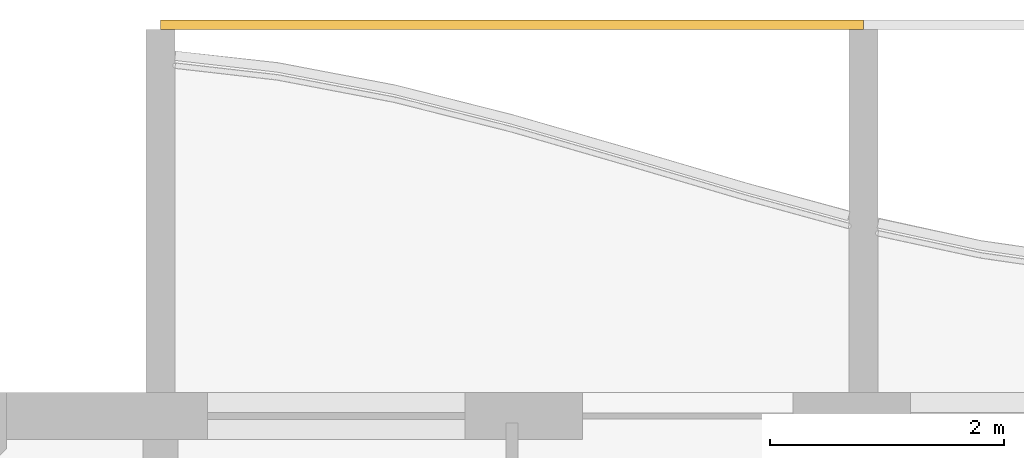
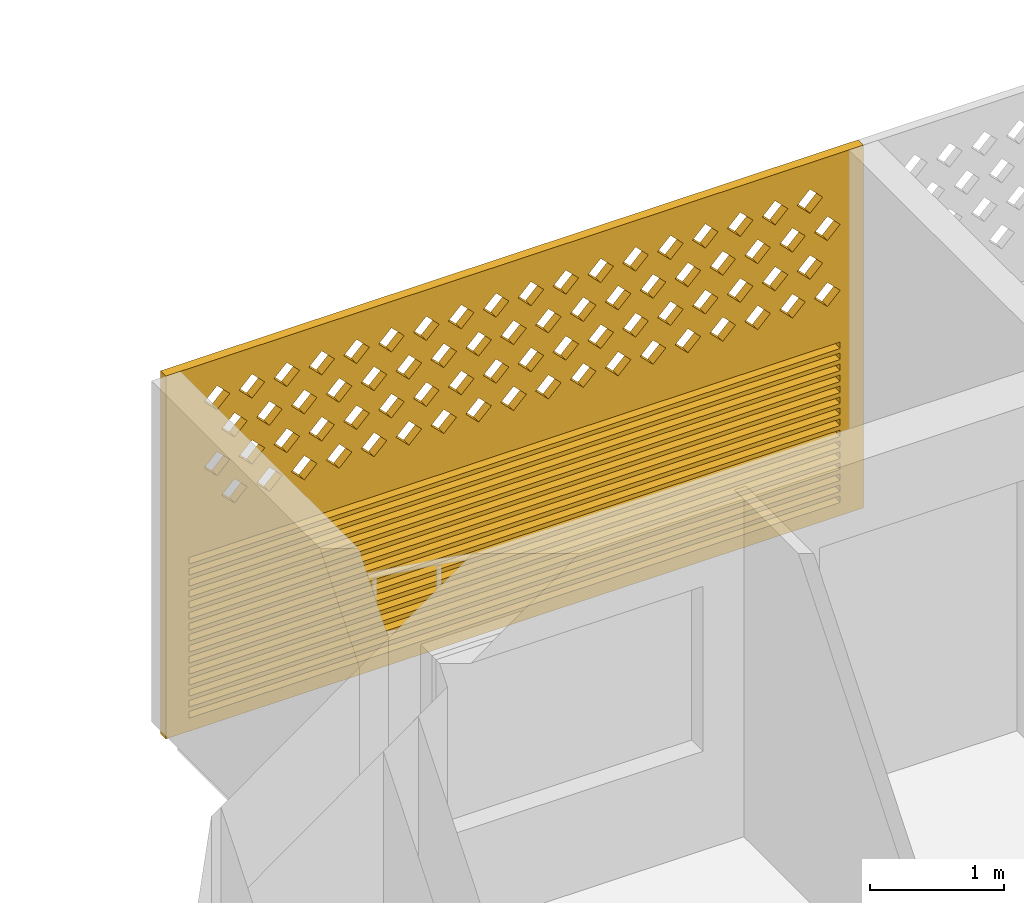
# One storey, part 17 of 31: 1 covering.
"""IFC4 building model written with IfcOpenShell, lengths in metres."""

from ifc_helpers import new_model, si_unit, direction, frame, origin, place, context, subcontext, project, spatial, polyline, outline, extrude, source, transform, mapped, material, material_profile, profile_set, type_object, element, save


model = new_model("IFC4")

# Units and contexts
model_context = context("Model", 3, precision=1e-05, world=origin(), true_north=direction((0.0, 1.0)))
body_context = subcontext(model_context, "Body", "Model", "MODEL_VIEW")
ifc_project = project(units=[si_unit("LENGTHUNIT", "METRE"), si_unit("AREAUNIT", "SQUARE_METRE"), si_unit("VOLUMEUNIT", "CUBIC_METRE"), si_unit("PLANEANGLEUNIT", "RADIAN"), si_unit("MASSUNIT", "GRAM", prefix="KILO")], contexts=[model_context])

# Site, building, storey
site_placement = place(None, origin())
site = spatial("IfcSite", under=ifc_project, at=site_placement, CompositionType="ELEMENT")
building_placement = place(site_placement, origin())
building = spatial("IfcBuilding", under=site, at=building_placement, Name="Poui Terraces", CompositionType="ELEMENT")
storey_placement = place(building_placement, frame((0.0, 0.0, 145.5)))
storey = spatial("IfcBuildingStorey", under=building, at=storey_placement, Name="L40", CompositionType="ELEMENT", Elevation=145.5)

# Covering
ifc_material = material(Name="Terracotta screen", Category="masonry")
ifc_material_profile = material_profile(ifc_material, outline(polyline([(-3.0, -1.64990234375), (3.0, -1.64990234375), (3.0, 1.64990234375), (-3.0, 1.64990234375), (-3.0, -1.64990234375)]), holes=[polyline([(-2.800048828125, 0.39990234375), (-2.68994140625, 0.2900390625), (-2.580078125, 0.39990234375), (-2.68994140625, 0.510009765625), (-2.800048828125, 0.39990234375)]), polyline([(-2.5, 0.39990234375), (-2.389892578125, 0.2900390625), (-2.280029296875, 0.39990234375), (-2.389892578125, 0.510009765625), (-2.5, 0.39990234375)]), polyline([(-2.199951171875, 0.39990234375), (-2.090087890625, 0.2900390625), (-1.97998046875, 0.39990234375), (-2.090087890625, 0.510009765625), (-2.199951171875, 0.39990234375)]), polyline([(-1.89990234375, 0.39990234375), (-1.7900390625, 0.2900390625), (-1.679931640625, 0.39990234375), (-1.7900390625, 0.510009765625), (-1.89990234375, 0.39990234375)]), polyline([(-1.60009765625, 0.39990234375), (-1.489990234375, 0.2900390625), (-1.3798828125, 0.39990234375), (-1.489990234375, 0.510009765625), (-1.60009765625, 0.39990234375)]), polyline([(-1.300048828125, 0.39990234375), (-1.18994140625, 0.2900390625), (-1.080078125, 0.39990234375), (-1.18994140625, 0.510009765625), (-1.300048828125, 0.39990234375)]), polyline([(-1.0, 0.39990234375), (-0.889892578125, 0.2900390625), (-0.780029296875, 0.39990234375), (-0.889892578125, 0.510009765625), (-1.0, 0.39990234375)]), polyline([(-0.699951171875, 0.39990234375), (-0.590087890625, 0.2900390625), (-0.47998046875, 0.39990234375), (-0.590087890625, 0.510009765625), (-0.699951171875, 0.39990234375)]), polyline([(-0.39990234375, 0.39990234375), (-0.2900390625, 0.2900390625), (-0.179931640625, 0.39990234375), (-0.2900390625, 0.510009765625), (-0.39990234375, 0.39990234375)]), polyline([(-0.10009765625, 0.39990234375), (0.010009765625, 0.2900390625), (0.1201171875, 0.39990234375), (0.010009765625, 0.510009765625), (-0.10009765625, 0.39990234375)]), polyline([(0.199951171875, 0.39990234375), (0.31005859375, 0.2900390625), (0.419921875, 0.39990234375), (0.31005859375, 0.510009765625), (0.199951171875, 0.39990234375)]), polyline([(0.5, 0.39990234375), (0.610107421875, 0.2900390625), (0.719970703125, 0.39990234375), (0.610107421875, 0.510009765625), (0.5, 0.39990234375)]), polyline([(0.800048828125, 0.39990234375), (0.909912109375, 0.2900390625), (1.02001953125, 0.39990234375), (0.909912109375, 0.510009765625), (0.800048828125, 0.39990234375)]), polyline([(1.10009765625, 0.39990234375), (1.2099609375, 0.2900390625), (1.320068359375, 0.39990234375), (1.2099609375, 0.510009765625), (1.10009765625, 0.39990234375)]), polyline([(1.39990234375, 0.39990234375), (1.510009765625, 0.2900390625), (1.6201171875, 0.39990234375), (1.510009765625, 0.510009765625), (1.39990234375, 0.39990234375)]), polyline([(1.699951171875, 0.39990234375), (1.81005859375, 0.2900390625), (1.919921875, 0.39990234375), (1.81005859375, 0.510009765625), (1.699951171875, 0.39990234375)]), polyline([(2.0, 0.39990234375), (2.110107421875, 0.2900390625), (2.219970703125, 0.39990234375), (2.110107421875, 0.510009765625), (2.0, 0.39990234375)]), polyline([(2.300048828125, 0.39990234375), (2.409912109375, 0.2900390625), (2.52001953125, 0.39990234375), (2.409912109375, 0.510009765625), (2.300048828125, 0.39990234375)]), polyline([(-2.64990234375, 0.699951171875), (-2.5400390625, 0.590087890625), (-2.429931640625, 0.699951171875), (-2.5400390625, 0.81005859375), (-2.64990234375, 0.699951171875)]), polyline([(-2.35009765625, 0.699951171875), (-2.239990234375, 0.590087890625), (-2.1298828125, 0.699951171875), (-2.239990234375, 0.81005859375), (-2.35009765625, 0.699951171875)]), polyline([(-2.050048828125, 0.699951171875), (-1.93994140625, 0.590087890625), (-1.830078125, 0.699951171875), (-1.93994140625, 0.81005859375), (-2.050048828125, 0.699951171875)]), polyline([(-1.75, 0.699951171875), (-1.639892578125, 0.590087890625), (-1.530029296875, 0.699951171875), (-1.639892578125, 0.81005859375), (-1.75, 0.699951171875)]), polyline([(-1.449951171875, 0.699951171875), (-1.340087890625, 0.590087890625), (-1.22998046875, 0.699951171875), (-1.340087890625, 0.81005859375), (-1.449951171875, 0.699951171875)]), polyline([(-1.14990234375, 0.699951171875), (-1.0400390625, 0.590087890625), (-0.929931640625, 0.699951171875), (-1.0400390625, 0.81005859375), (-1.14990234375, 0.699951171875)]), polyline([(-0.85009765625, 0.699951171875), (-0.739990234375, 0.590087890625), (-0.6298828125, 0.699951171875), (-0.739990234375, 0.81005859375), (-0.85009765625, 0.699951171875)]), polyline([(-0.550048828125, 0.699951171875), (-0.43994140625, 0.590087890625), (-0.330078125, 0.699951171875), (-0.43994140625, 0.81005859375), (-0.550048828125, 0.699951171875)]), polyline([(-0.25, 0.699951171875), (-0.139892578125, 0.590087890625), (-0.030029296875, 0.699951171875), (-0.139892578125, 0.81005859375), (-0.25, 0.699951171875)]), polyline([(0.050048828125, 0.699951171875), (0.159912109375, 0.590087890625), (0.27001953125, 0.699951171875), (0.159912109375, 0.81005859375), (0.050048828125, 0.699951171875)]), polyline([(0.35009765625, 0.699951171875), (0.4599609375, 0.590087890625), (0.570068359375, 0.699951171875), (0.4599609375, 0.81005859375), (0.35009765625, 0.699951171875)]), polyline([(0.64990234375, 0.699951171875), (0.760009765625, 0.590087890625), (0.8701171875, 0.699951171875), (0.760009765625, 0.81005859375), (0.64990234375, 0.699951171875)]), polyline([(0.949951171875, 0.699951171875), (1.06005859375, 0.590087890625), (1.169921875, 0.699951171875), (1.06005859375, 0.81005859375), (0.949951171875, 0.699951171875)]), polyline([(1.25, 0.699951171875), (1.360107421875, 0.590087890625), (1.469970703125, 0.699951171875), (1.360107421875, 0.81005859375), (1.25, 0.699951171875)]), polyline([(1.550048828125, 0.699951171875), (1.659912109375, 0.590087890625), (1.77001953125, 0.699951171875), (1.659912109375, 0.81005859375), (1.550048828125, 0.699951171875)]), polyline([(1.85009765625, 0.699951171875), (1.9599609375, 0.590087890625), (2.070068359375, 0.699951171875), (1.9599609375, 0.81005859375), (1.85009765625, 0.699951171875)]), polyline([(2.14990234375, 0.699951171875), (2.260009765625, 0.590087890625), (2.3701171875, 0.699951171875), (2.260009765625, 0.81005859375), (2.14990234375, 0.699951171875)]), polyline([(2.449951171875, 0.699951171875), (2.56005859375, 0.590087890625), (2.669921875, 0.699951171875), (2.56005859375, 0.81005859375), (2.449951171875, 0.699951171875)]), polyline([(-2.800048828125, 1.0), (-2.68994140625, 0.889892578125), (-2.580078125, 1.0), (-2.68994140625, 1.110107421875), (-2.800048828125, 1.0)]), polyline([(-2.5, 1.0), (-2.389892578125, 0.889892578125), (-2.280029296875, 1.0), (-2.389892578125, 1.110107421875), (-2.5, 1.0)]), polyline([(-2.199951171875, 1.0), (-2.090087890625, 0.889892578125), (-1.97998046875, 1.0), (-2.090087890625, 1.110107421875), (-2.199951171875, 1.0)]), polyline([(-1.89990234375, 1.0), (-1.7900390625, 0.889892578125), (-1.679931640625, 1.0), (-1.7900390625, 1.110107421875), (-1.89990234375, 1.0)]), polyline([(-1.60009765625, 1.0), (-1.489990234375, 0.889892578125), (-1.3798828125, 1.0), (-1.489990234375, 1.110107421875), (-1.60009765625, 1.0)]), polyline([(-1.300048828125, 1.0), (-1.18994140625, 0.889892578125), (-1.080078125, 1.0), (-1.18994140625, 1.110107421875), (-1.300048828125, 1.0)]), polyline([(-1.0, 1.0), (-0.889892578125, 0.889892578125), (-0.780029296875, 1.0), (-0.889892578125, 1.110107421875), (-1.0, 1.0)]), polyline([(-0.699951171875, 1.0), (-0.590087890625, 0.889892578125), (-0.47998046875, 1.0), (-0.590087890625, 1.110107421875), (-0.699951171875, 1.0)]), polyline([(-0.39990234375, 1.0), (-0.2900390625, 0.889892578125), (-0.179931640625, 1.0), (-0.2900390625, 1.110107421875), (-0.39990234375, 1.0)]), polyline([(-0.10009765625, 1.0), (0.010009765625, 0.889892578125), (0.1201171875, 1.0), (0.010009765625, 1.110107421875), (-0.10009765625, 1.0)]), polyline([(0.199951171875, 1.0), (0.31005859375, 0.889892578125), (0.419921875, 1.0), (0.31005859375, 1.110107421875), (0.199951171875, 1.0)]), polyline([(0.5, 1.0), (0.610107421875, 0.889892578125), (0.719970703125, 1.0), (0.610107421875, 1.110107421875), (0.5, 1.0)]), polyline([(0.800048828125, 1.0), (0.909912109375, 0.889892578125), (1.02001953125, 1.0), (0.909912109375, 1.110107421875), (0.800048828125, 1.0)]), polyline([(1.10009765625, 1.0), (1.2099609375, 0.889892578125), (1.320068359375, 1.0), (1.2099609375, 1.110107421875), (1.10009765625, 1.0)]), polyline([(1.39990234375, 1.0), (1.510009765625, 0.889892578125), (1.6201171875, 1.0), (1.510009765625, 1.110107421875), (1.39990234375, 1.0)]), polyline([(1.699951171875, 1.0), (1.81005859375, 0.889892578125), (1.919921875, 1.0), (1.81005859375, 1.110107421875), (1.699951171875, 1.0)]), polyline([(2.0, 1.0), (2.110107421875, 0.889892578125), (2.219970703125, 1.0), (2.110107421875, 1.110107421875), (2.0, 1.0)]), polyline([(2.300048828125, 1.0), (2.409912109375, 0.889892578125), (2.52001953125, 1.0), (2.409912109375, 1.110107421875), (2.300048828125, 1.0)]), polyline([(-2.64990234375, 1.300048828125), (-2.5400390625, 1.18994140625), (-2.429931640625, 1.300048828125), (-2.5400390625, 1.409912109375), (-2.64990234375, 1.300048828125)]), polyline([(-2.35009765625, 1.300048828125), (-2.239990234375, 1.18994140625), (-2.1298828125, 1.300048828125), (-2.239990234375, 1.409912109375), (-2.35009765625, 1.300048828125)]), polyline([(-2.050048828125, 1.300048828125), (-1.93994140625, 1.18994140625), (-1.830078125, 1.300048828125), (-1.93994140625, 1.409912109375), (-2.050048828125, 1.300048828125)]), polyline([(-1.75, 1.300048828125), (-1.639892578125, 1.18994140625), (-1.530029296875, 1.300048828125), (-1.639892578125, 1.409912109375), (-1.75, 1.300048828125)]), polyline([(-1.449951171875, 1.300048828125), (-1.340087890625, 1.18994140625), (-1.22998046875, 1.300048828125), (-1.340087890625, 1.409912109375), (-1.449951171875, 1.300048828125)]), polyline([(-1.14990234375, 1.300048828125), (-1.0400390625, 1.18994140625), (-0.929931640625, 1.300048828125), (-1.0400390625, 1.409912109375), (-1.14990234375, 1.300048828125)]), polyline([(-0.85009765625, 1.300048828125), (-0.739990234375, 1.18994140625), (-0.6298828125, 1.300048828125), (-0.739990234375, 1.409912109375), (-0.85009765625, 1.300048828125)]), polyline([(-0.550048828125, 1.300048828125), (-0.43994140625, 1.18994140625), (-0.330078125, 1.300048828125), (-0.43994140625, 1.409912109375), (-0.550048828125, 1.300048828125)]), polyline([(-0.25, 1.300048828125), (-0.139892578125, 1.18994140625), (-0.030029296875, 1.300048828125), (-0.139892578125, 1.409912109375), (-0.25, 1.300048828125)]), polyline([(0.050048828125, 1.300048828125), (0.159912109375, 1.18994140625), (0.27001953125, 1.300048828125), (0.159912109375, 1.409912109375), (0.050048828125, 1.300048828125)]), polyline([(0.35009765625, 1.300048828125), (0.4599609375, 1.18994140625), (0.570068359375, 1.300048828125), (0.4599609375, 1.409912109375), (0.35009765625, 1.300048828125)]), polyline([(0.64990234375, 1.300048828125), (0.760009765625, 1.18994140625), (0.8701171875, 1.300048828125), (0.760009765625, 1.409912109375), (0.64990234375, 1.300048828125)]), polyline([(0.949951171875, 1.300048828125), (1.06005859375, 1.18994140625), (1.169921875, 1.300048828125), (1.06005859375, 1.409912109375), (0.949951171875, 1.300048828125)]), polyline([(1.25, 1.300048828125), (1.360107421875, 1.18994140625), (1.469970703125, 1.300048828125), (1.360107421875, 1.409912109375), (1.25, 1.300048828125)]), polyline([(1.550048828125, 1.300048828125), (1.659912109375, 1.18994140625), (1.77001953125, 1.300048828125), (1.659912109375, 1.409912109375), (1.550048828125, 1.300048828125)]), polyline([(1.85009765625, 1.300048828125), (1.9599609375, 1.18994140625), (2.070068359375, 1.300048828125), (1.9599609375, 1.409912109375), (1.85009765625, 1.300048828125)]), polyline([(2.14990234375, 1.300048828125), (2.260009765625, 1.18994140625), (2.3701171875, 1.300048828125), (2.260009765625, 1.409912109375), (2.14990234375, 1.300048828125)]), polyline([(2.449951171875, 1.300048828125), (2.56005859375, 1.18994140625), (2.669921875, 1.300048828125), (2.56005859375, 1.409912109375), (2.449951171875, 1.300048828125)]), polyline([(-2.800048828125, -1.530029296875), (2.800048828125, -1.530029296875), (2.800048828125, -1.469970703125), (-2.800048828125, -1.469970703125), (-2.800048828125, -1.530029296875)]), polyline([(-2.800048828125, -1.429931640625), (2.800048828125, -1.429931640625), (2.800048828125, -1.3701171875), (-2.800048828125, -1.3701171875), (-2.800048828125, -1.429931640625)]), polyline([(-2.800048828125, -1.330078125), (2.800048828125, -1.330078125), (2.800048828125, -1.27001953125), (-2.800048828125, -1.27001953125), (-2.800048828125, -1.330078125)]), polyline([(-2.800048828125, -1.22998046875), (2.800048828125, -1.22998046875), (2.800048828125, -1.169921875), (-2.800048828125, -1.169921875), (-2.800048828125, -1.22998046875)]), polyline([(-2.800048828125, -1.1298828125), (2.800048828125, -1.1298828125), (2.800048828125, -1.070068359375), (-2.800048828125, -1.070068359375), (-2.800048828125, -1.1298828125)]), polyline([(-2.800048828125, -1.030029296875), (2.800048828125, -1.030029296875), (2.800048828125, -0.969970703125), (-2.800048828125, -0.969970703125), (-2.800048828125, -1.030029296875)]), polyline([(-2.800048828125, -0.929931640625), (2.800048828125, -0.929931640625), (2.800048828125, -0.8701171875), (-2.800048828125, -0.8701171875), (-2.800048828125, -0.929931640625)]), polyline([(-2.800048828125, -0.830078125), (2.800048828125, -0.830078125), (2.800048828125, -0.77001953125), (-2.800048828125, -0.77001953125), (-2.800048828125, -0.830078125)]), polyline([(-2.800048828125, -0.72998046875), (2.800048828125, -0.72998046875), (2.800048828125, -0.669921875), (-2.800048828125, -0.669921875), (-2.800048828125, -0.72998046875)]), polyline([(-2.800048828125, -0.6298828125), (2.800048828125, -0.6298828125), (2.800048828125, -0.570068359375), (-2.800048828125, -0.570068359375), (-2.800048828125, -0.6298828125)]), polyline([(-2.800048828125, -0.530029296875), (2.800048828125, -0.530029296875), (2.800048828125, -0.469970703125), (-2.800048828125, -0.469970703125), (-2.800048828125, -0.530029296875)]), polyline([(-2.800048828125, -0.429931640625), (2.800048828125, -0.429931640625), (2.800048828125, -0.3701171875), (-2.800048828125, -0.3701171875), (-2.800048828125, -0.429931640625)]), polyline([(-2.800048828125, -0.330078125), (2.800048828125, -0.330078125), (2.800048828125, -0.27001953125), (-2.800048828125, -0.27001953125), (-2.800048828125, -0.330078125)]), polyline([(-2.800048828125, -0.22998046875), (2.800048828125, -0.22998046875), (2.800048828125, -0.169921875), (-2.800048828125, -0.169921875), (-2.800048828125, -0.22998046875)]), polyline([(-2.800048828125, -0.1298828125), (2.800048828125, -0.1298828125), (2.800048828125, -0.070068359375), (-2.800048828125, -0.070068359375), (-2.800048828125, -0.1298828125)])]), Name="TERRACOTTA SCREEN AND JALOUSIE LOUVRE 6000X3300")
ifc_profile_set = profile_set([ifc_material_profile], Name="Terracotta screen")
covering_type = type_object("IfcCoveringType", Name="TERRACOTTA SCREEN AND JALOUSIE LOUVRE 6000X3300", PredefinedType="CLADDING", material=ifc_profile_set)
shared_shape = source(origin(), body_context, "Body", "SweptSolid", [
    extrude(outline(polyline([(-3.0, -1.64990234375), (3.0, -1.64990234375), (3.0, 1.64990234375), (-3.0, 1.64990234375), (-3.0, -1.64990234375)]), holes=[polyline([(-2.800048828125, 0.39990234375), (-2.68994140625, 0.2900390625), (-2.580078125, 0.39990234375), (-2.68994140625, 0.510009765625), (-2.800048828125, 0.39990234375)]), polyline([(-2.5, 0.39990234375), (-2.389892578125, 0.2900390625), (-2.280029296875, 0.39990234375), (-2.389892578125, 0.510009765625), (-2.5, 0.39990234375)]), polyline([(-2.199951171875, 0.39990234375), (-2.090087890625, 0.2900390625), (-1.97998046875, 0.39990234375), (-2.090087890625, 0.510009765625), (-2.199951171875, 0.39990234375)]), polyline([(-1.89990234375, 0.39990234375), (-1.7900390625, 0.2900390625), (-1.679931640625, 0.39990234375), (-1.7900390625, 0.510009765625), (-1.89990234375, 0.39990234375)]), polyline([(-1.60009765625, 0.39990234375), (-1.489990234375, 0.2900390625), (-1.3798828125, 0.39990234375), (-1.489990234375, 0.510009765625), (-1.60009765625, 0.39990234375)]), polyline([(-1.300048828125, 0.39990234375), (-1.18994140625, 0.2900390625), (-1.080078125, 0.39990234375), (-1.18994140625, 0.510009765625), (-1.300048828125, 0.39990234375)]), polyline([(-1.0, 0.39990234375), (-0.889892578125, 0.2900390625), (-0.780029296875, 0.39990234375), (-0.889892578125, 0.510009765625), (-1.0, 0.39990234375)]), polyline([(-0.699951171875, 0.39990234375), (-0.590087890625, 0.2900390625), (-0.47998046875, 0.39990234375), (-0.590087890625, 0.510009765625), (-0.699951171875, 0.39990234375)]), polyline([(-0.39990234375, 0.39990234375), (-0.2900390625, 0.2900390625), (-0.179931640625, 0.39990234375), (-0.2900390625, 0.510009765625), (-0.39990234375, 0.39990234375)]), polyline([(-0.10009765625, 0.39990234375), (0.010009765625, 0.2900390625), (0.1201171875, 0.39990234375), (0.010009765625, 0.510009765625), (-0.10009765625, 0.39990234375)]), polyline([(0.199951171875, 0.39990234375), (0.31005859375, 0.2900390625), (0.419921875, 0.39990234375), (0.31005859375, 0.510009765625), (0.199951171875, 0.39990234375)]), polyline([(0.5, 0.39990234375), (0.610107421875, 0.2900390625), (0.719970703125, 0.39990234375), (0.610107421875, 0.510009765625), (0.5, 0.39990234375)]), polyline([(0.800048828125, 0.39990234375), (0.909912109375, 0.2900390625), (1.02001953125, 0.39990234375), (0.909912109375, 0.510009765625), (0.800048828125, 0.39990234375)]), polyline([(1.10009765625, 0.39990234375), (1.2099609375, 0.2900390625), (1.320068359375, 0.39990234375), (1.2099609375, 0.510009765625), (1.10009765625, 0.39990234375)]), polyline([(1.39990234375, 0.39990234375), (1.510009765625, 0.2900390625), (1.6201171875, 0.39990234375), (1.510009765625, 0.510009765625), (1.39990234375, 0.39990234375)]), polyline([(1.699951171875, 0.39990234375), (1.81005859375, 0.2900390625), (1.919921875, 0.39990234375), (1.81005859375, 0.510009765625), (1.699951171875, 0.39990234375)]), polyline([(2.0, 0.39990234375), (2.110107421875, 0.2900390625), (2.219970703125, 0.39990234375), (2.110107421875, 0.510009765625), (2.0, 0.39990234375)]), polyline([(2.300048828125, 0.39990234375), (2.409912109375, 0.2900390625), (2.52001953125, 0.39990234375), (2.409912109375, 0.510009765625), (2.300048828125, 0.39990234375)]), polyline([(-2.64990234375, 0.699951171875), (-2.5400390625, 0.590087890625), (-2.429931640625, 0.699951171875), (-2.5400390625, 0.81005859375), (-2.64990234375, 0.699951171875)]), polyline([(-2.35009765625, 0.699951171875), (-2.239990234375, 0.590087890625), (-2.1298828125, 0.699951171875), (-2.239990234375, 0.81005859375), (-2.35009765625, 0.699951171875)]), polyline([(-2.050048828125, 0.699951171875), (-1.93994140625, 0.590087890625), (-1.830078125, 0.699951171875), (-1.93994140625, 0.81005859375), (-2.050048828125, 0.699951171875)]), polyline([(-1.75, 0.699951171875), (-1.639892578125, 0.590087890625), (-1.530029296875, 0.699951171875), (-1.639892578125, 0.81005859375), (-1.75, 0.699951171875)]), polyline([(-1.449951171875, 0.699951171875), (-1.340087890625, 0.590087890625), (-1.22998046875, 0.699951171875), (-1.340087890625, 0.81005859375), (-1.449951171875, 0.699951171875)]), polyline([(-1.14990234375, 0.699951171875), (-1.0400390625, 0.590087890625), (-0.929931640625, 0.699951171875), (-1.0400390625, 0.81005859375), (-1.14990234375, 0.699951171875)]), polyline([(-0.85009765625, 0.699951171875), (-0.739990234375, 0.590087890625), (-0.6298828125, 0.699951171875), (-0.739990234375, 0.81005859375), (-0.85009765625, 0.699951171875)]), polyline([(-0.550048828125, 0.699951171875), (-0.43994140625, 0.590087890625), (-0.330078125, 0.699951171875), (-0.43994140625, 0.81005859375), (-0.550048828125, 0.699951171875)]), polyline([(-0.25, 0.699951171875), (-0.139892578125, 0.590087890625), (-0.030029296875, 0.699951171875), (-0.139892578125, 0.81005859375), (-0.25, 0.699951171875)]), polyline([(0.050048828125, 0.699951171875), (0.159912109375, 0.590087890625), (0.27001953125, 0.699951171875), (0.159912109375, 0.81005859375), (0.050048828125, 0.699951171875)]), polyline([(0.35009765625, 0.699951171875), (0.4599609375, 0.590087890625), (0.570068359375, 0.699951171875), (0.4599609375, 0.81005859375), (0.35009765625, 0.699951171875)]), polyline([(0.64990234375, 0.699951171875), (0.760009765625, 0.590087890625), (0.8701171875, 0.699951171875), (0.760009765625, 0.81005859375), (0.64990234375, 0.699951171875)]), polyline([(0.949951171875, 0.699951171875), (1.06005859375, 0.590087890625), (1.169921875, 0.699951171875), (1.06005859375, 0.81005859375), (0.949951171875, 0.699951171875)]), polyline([(1.25, 0.699951171875), (1.360107421875, 0.590087890625), (1.469970703125, 0.699951171875), (1.360107421875, 0.81005859375), (1.25, 0.699951171875)]), polyline([(1.550048828125, 0.699951171875), (1.659912109375, 0.590087890625), (1.77001953125, 0.699951171875), (1.659912109375, 0.81005859375), (1.550048828125, 0.699951171875)]), polyline([(1.85009765625, 0.699951171875), (1.9599609375, 0.590087890625), (2.070068359375, 0.699951171875), (1.9599609375, 0.81005859375), (1.85009765625, 0.699951171875)]), polyline([(2.14990234375, 0.699951171875), (2.260009765625, 0.590087890625), (2.3701171875, 0.699951171875), (2.260009765625, 0.81005859375), (2.14990234375, 0.699951171875)]), polyline([(2.449951171875, 0.699951171875), (2.56005859375, 0.590087890625), (2.669921875, 0.699951171875), (2.56005859375, 0.81005859375), (2.449951171875, 0.699951171875)]), polyline([(-2.800048828125, 1.0), (-2.68994140625, 0.889892578125), (-2.580078125, 1.0), (-2.68994140625, 1.110107421875), (-2.800048828125, 1.0)]), polyline([(-2.5, 1.0), (-2.389892578125, 0.889892578125), (-2.280029296875, 1.0), (-2.389892578125, 1.110107421875), (-2.5, 1.0)]), polyline([(-2.199951171875, 1.0), (-2.090087890625, 0.889892578125), (-1.97998046875, 1.0), (-2.090087890625, 1.110107421875), (-2.199951171875, 1.0)]), polyline([(-1.89990234375, 1.0), (-1.7900390625, 0.889892578125), (-1.679931640625, 1.0), (-1.7900390625, 1.110107421875), (-1.89990234375, 1.0)]), polyline([(-1.60009765625, 1.0), (-1.489990234375, 0.889892578125), (-1.3798828125, 1.0), (-1.489990234375, 1.110107421875), (-1.60009765625, 1.0)]), polyline([(-1.300048828125, 1.0), (-1.18994140625, 0.889892578125), (-1.080078125, 1.0), (-1.18994140625, 1.110107421875), (-1.300048828125, 1.0)]), polyline([(-1.0, 1.0), (-0.889892578125, 0.889892578125), (-0.780029296875, 1.0), (-0.889892578125, 1.110107421875), (-1.0, 1.0)]), polyline([(-0.699951171875, 1.0), (-0.590087890625, 0.889892578125), (-0.47998046875, 1.0), (-0.590087890625, 1.110107421875), (-0.699951171875, 1.0)]), polyline([(-0.39990234375, 1.0), (-0.2900390625, 0.889892578125), (-0.179931640625, 1.0), (-0.2900390625, 1.110107421875), (-0.39990234375, 1.0)]), polyline([(-0.10009765625, 1.0), (0.010009765625, 0.889892578125), (0.1201171875, 1.0), (0.010009765625, 1.110107421875), (-0.10009765625, 1.0)]), polyline([(0.199951171875, 1.0), (0.31005859375, 0.889892578125), (0.419921875, 1.0), (0.31005859375, 1.110107421875), (0.199951171875, 1.0)]), polyline([(0.5, 1.0), (0.610107421875, 0.889892578125), (0.719970703125, 1.0), (0.610107421875, 1.110107421875), (0.5, 1.0)]), polyline([(0.800048828125, 1.0), (0.909912109375, 0.889892578125), (1.02001953125, 1.0), (0.909912109375, 1.110107421875), (0.800048828125, 1.0)]), polyline([(1.10009765625, 1.0), (1.2099609375, 0.889892578125), (1.320068359375, 1.0), (1.2099609375, 1.110107421875), (1.10009765625, 1.0)]), polyline([(1.39990234375, 1.0), (1.510009765625, 0.889892578125), (1.6201171875, 1.0), (1.510009765625, 1.110107421875), (1.39990234375, 1.0)]), polyline([(1.699951171875, 1.0), (1.81005859375, 0.889892578125), (1.919921875, 1.0), (1.81005859375, 1.110107421875), (1.699951171875, 1.0)]), polyline([(2.0, 1.0), (2.110107421875, 0.889892578125), (2.219970703125, 1.0), (2.110107421875, 1.110107421875), (2.0, 1.0)]), polyline([(2.300048828125, 1.0), (2.409912109375, 0.889892578125), (2.52001953125, 1.0), (2.409912109375, 1.110107421875), (2.300048828125, 1.0)]), polyline([(-2.64990234375, 1.300048828125), (-2.5400390625, 1.18994140625), (-2.429931640625, 1.300048828125), (-2.5400390625, 1.409912109375), (-2.64990234375, 1.300048828125)]), polyline([(-2.35009765625, 1.300048828125), (-2.239990234375, 1.18994140625), (-2.1298828125, 1.300048828125), (-2.239990234375, 1.409912109375), (-2.35009765625, 1.300048828125)]), polyline([(-2.050048828125, 1.300048828125), (-1.93994140625, 1.18994140625), (-1.830078125, 1.300048828125), (-1.93994140625, 1.409912109375), (-2.050048828125, 1.300048828125)]), polyline([(-1.75, 1.300048828125), (-1.639892578125, 1.18994140625), (-1.530029296875, 1.300048828125), (-1.639892578125, 1.409912109375), (-1.75, 1.300048828125)]), polyline([(-1.449951171875, 1.300048828125), (-1.340087890625, 1.18994140625), (-1.22998046875, 1.300048828125), (-1.340087890625, 1.409912109375), (-1.449951171875, 1.300048828125)]), polyline([(-1.14990234375, 1.300048828125), (-1.0400390625, 1.18994140625), (-0.929931640625, 1.300048828125), (-1.0400390625, 1.409912109375), (-1.14990234375, 1.300048828125)]), polyline([(-0.85009765625, 1.300048828125), (-0.739990234375, 1.18994140625), (-0.6298828125, 1.300048828125), (-0.739990234375, 1.409912109375), (-0.85009765625, 1.300048828125)]), polyline([(-0.550048828125, 1.300048828125), (-0.43994140625, 1.18994140625), (-0.330078125, 1.300048828125), (-0.43994140625, 1.409912109375), (-0.550048828125, 1.300048828125)]), polyline([(-0.25, 1.300048828125), (-0.139892578125, 1.18994140625), (-0.030029296875, 1.300048828125), (-0.139892578125, 1.409912109375), (-0.25, 1.300048828125)]), polyline([(0.050048828125, 1.300048828125), (0.159912109375, 1.18994140625), (0.27001953125, 1.300048828125), (0.159912109375, 1.409912109375), (0.050048828125, 1.300048828125)]), polyline([(0.35009765625, 1.300048828125), (0.4599609375, 1.18994140625), (0.570068359375, 1.300048828125), (0.4599609375, 1.409912109375), (0.35009765625, 1.300048828125)]), polyline([(0.64990234375, 1.300048828125), (0.760009765625, 1.18994140625), (0.8701171875, 1.300048828125), (0.760009765625, 1.409912109375), (0.64990234375, 1.300048828125)]), polyline([(0.949951171875, 1.300048828125), (1.06005859375, 1.18994140625), (1.169921875, 1.300048828125), (1.06005859375, 1.409912109375), (0.949951171875, 1.300048828125)]), polyline([(1.25, 1.300048828125), (1.360107421875, 1.18994140625), (1.469970703125, 1.300048828125), (1.360107421875, 1.409912109375), (1.25, 1.300048828125)]), polyline([(1.550048828125, 1.300048828125), (1.659912109375, 1.18994140625), (1.77001953125, 1.300048828125), (1.659912109375, 1.409912109375), (1.550048828125, 1.300048828125)]), polyline([(1.85009765625, 1.300048828125), (1.9599609375, 1.18994140625), (2.070068359375, 1.300048828125), (1.9599609375, 1.409912109375), (1.85009765625, 1.300048828125)]), polyline([(2.14990234375, 1.300048828125), (2.260009765625, 1.18994140625), (2.3701171875, 1.300048828125), (2.260009765625, 1.409912109375), (2.14990234375, 1.300048828125)]), polyline([(2.449951171875, 1.300048828125), (2.56005859375, 1.18994140625), (2.669921875, 1.300048828125), (2.56005859375, 1.409912109375), (2.449951171875, 1.300048828125)]), polyline([(-2.800048828125, -1.530029296875), (2.800048828125, -1.530029296875), (2.800048828125, -1.469970703125), (-2.800048828125, -1.469970703125), (-2.800048828125, -1.530029296875)]), polyline([(-2.800048828125, -1.429931640625), (2.800048828125, -1.429931640625), (2.800048828125, -1.3701171875), (-2.800048828125, -1.3701171875), (-2.800048828125, -1.429931640625)]), polyline([(-2.800048828125, -1.330078125), (2.800048828125, -1.330078125), (2.800048828125, -1.27001953125), (-2.800048828125, -1.27001953125), (-2.800048828125, -1.330078125)]), polyline([(-2.800048828125, -1.22998046875), (2.800048828125, -1.22998046875), (2.800048828125, -1.169921875), (-2.800048828125, -1.169921875), (-2.800048828125, -1.22998046875)]), polyline([(-2.800048828125, -1.1298828125), (2.800048828125, -1.1298828125), (2.800048828125, -1.070068359375), (-2.800048828125, -1.070068359375), (-2.800048828125, -1.1298828125)]), polyline([(-2.800048828125, -1.030029296875), (2.800048828125, -1.030029296875), (2.800048828125, -0.969970703125), (-2.800048828125, -0.969970703125), (-2.800048828125, -1.030029296875)]), polyline([(-2.800048828125, -0.929931640625), (2.800048828125, -0.929931640625), (2.800048828125, -0.8701171875), (-2.800048828125, -0.8701171875), (-2.800048828125, -0.929931640625)]), polyline([(-2.800048828125, -0.830078125), (2.800048828125, -0.830078125), (2.800048828125, -0.77001953125), (-2.800048828125, -0.77001953125), (-2.800048828125, -0.830078125)]), polyline([(-2.800048828125, -0.72998046875), (2.800048828125, -0.72998046875), (2.800048828125, -0.669921875), (-2.800048828125, -0.669921875), (-2.800048828125, -0.72998046875)]), polyline([(-2.800048828125, -0.6298828125), (2.800048828125, -0.6298828125), (2.800048828125, -0.570068359375), (-2.800048828125, -0.570068359375), (-2.800048828125, -0.6298828125)]), polyline([(-2.800048828125, -0.530029296875), (2.800048828125, -0.530029296875), (2.800048828125, -0.469970703125), (-2.800048828125, -0.469970703125), (-2.800048828125, -0.530029296875)]), polyline([(-2.800048828125, -0.429931640625), (2.800048828125, -0.429931640625), (2.800048828125, -0.3701171875), (-2.800048828125, -0.3701171875), (-2.800048828125, -0.429931640625)]), polyline([(-2.800048828125, -0.330078125), (2.800048828125, -0.330078125), (2.800048828125, -0.27001953125), (-2.800048828125, -0.27001953125), (-2.800048828125, -0.330078125)]), polyline([(-2.800048828125, -0.22998046875), (2.800048828125, -0.22998046875), (2.800048828125, -0.169921875), (-2.800048828125, -0.169921875), (-2.800048828125, -0.22998046875)]), polyline([(-2.800048828125, -0.1298828125), (2.800048828125, -0.1298828125), (2.800048828125, -0.070068359375), (-2.800048828125, -0.070068359375), (-2.800048828125, -0.1298828125)])]), origin(), (0.0, 0.0, 1.0), 0.080078125),
])
covering_placement = place(storey_placement, frame((21.0, 45.699951171875, 1.449951171875), z_axis=(0.0, 1.0, 0.0), x_axis=(-1.0, 0.0, 0.0)))
element("IfcCovering", 1, at=covering_placement, inside=storey, type_object=covering_type, Name="SOLAR SCREEN AND JALOUSIE LOUVRE", PredefinedType="CLADDING", context=body_context, shape_type="MappedRepresentation", body=[
    mapped(shared_shape, transform((0.0, 0.0, 0.0))),
])

save(model, "model.ifc")
